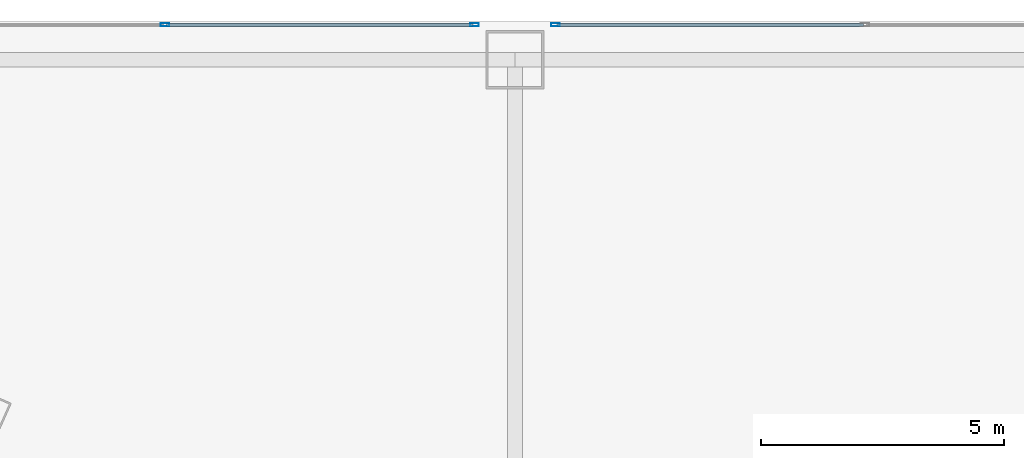
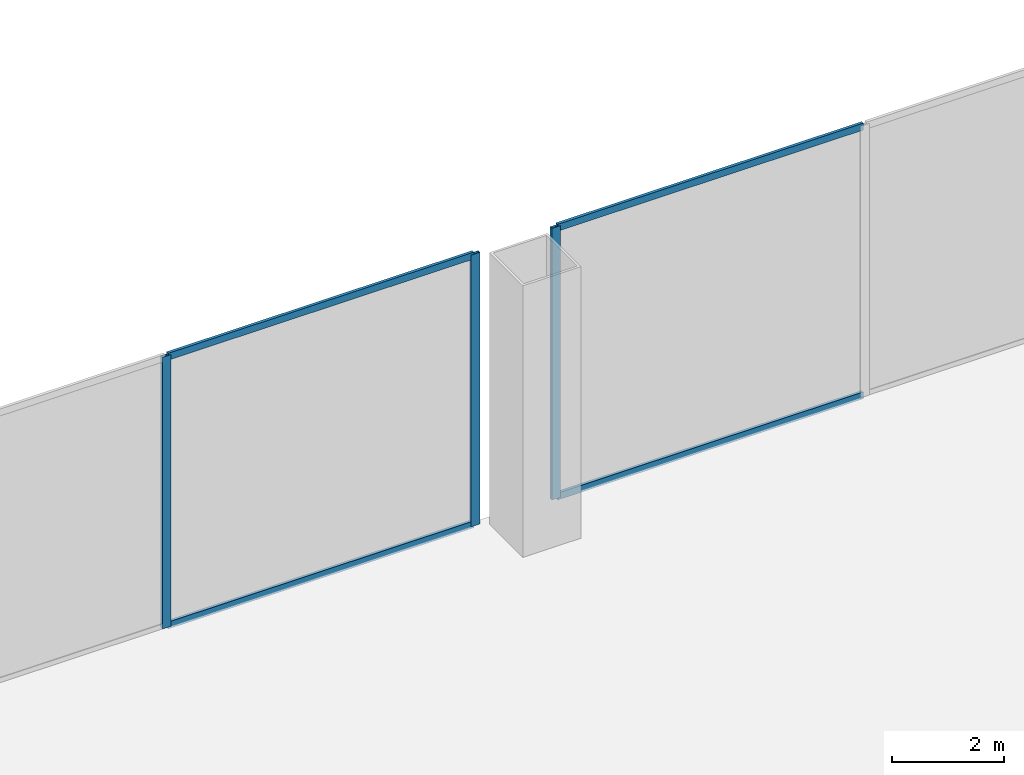
# One storey, part 28 of 41: 7 members, 2 elements without a shape of their own.
"""IFC4 building model written with IfcOpenShell, lengths in metres."""

from ifc_helpers import new_model, si_unit, direction, frame, origin, origin_2d, place, context, subcontext, project, spatial, hollow_rectangle, extrude, source, transform, mapped, material, layer, layer_set, material_profile, profile_set, type_object, element, aggregate, save


model = new_model("IFC4")

# Units and contexts
model_context = context("Model", 3, precision=1e-05, world=origin(), true_north=direction((0.0, 1.0)))
body_context = subcontext(model_context, "Body", "Model", "MODEL_VIEW")
ifc_project = project(units=[si_unit("LENGTHUNIT", "METRE"), si_unit("AREAUNIT", "SQUARE_METRE"), si_unit("VOLUMEUNIT", "CUBIC_METRE"), si_unit("PLANEANGLEUNIT", "RADIAN"), si_unit("MASSUNIT", "GRAM", prefix="KILO"), si_unit("THERMODYNAMICTEMPERATUREUNIT", "KELVIN"), si_unit("POWERUNIT", "WATT")], contexts=[model_context])

# Site, building, storey
site_placement = place(None, origin())
site = spatial("IfcSite", under=ifc_project, at=site_placement, CompositionType="ELEMENT")
building_placement = place(site_placement, origin())
building = spatial("IfcBuilding", under=site, at=building_placement, Name="Yunzhuo Pagoda Commons", CompositionType="ELEMENT")
storey_placement = place(building_placement, frame((0.0, 0.0, 19.199951171875)))
storey = spatial("IfcBuildingStorey", under=building, at=storey_placement, Name="L05", CompositionType="ELEMENT", Elevation=19.199951171875)

# Curtain wall, members
ifc_material = material(Name="Anodized aluminium 6063-T6", Category="aluminium")
ifc_layer = layer(ifc_material, 0.179931640625)
ifc_layer_set = layer_set([ifc_layer], Name="Anodized aluminium 6063-T6")
curtain_wall_type = type_object("IfcCurtainWallType", Name="CW-POD Waterfront Podium Curtain Wall", PredefinedType="NOTDEFINED", material=ifc_layer_set)
curtain_wall_1_placement = place(storey_placement, origin())
curtain_wall_1 = element("IfcCurtainWall", 1, at=curtain_wall_1_placement, inside=storey, type_object=curtain_wall_type, Name="L05 curtain wall CW-L05-N4", PredefinedType="NOTDEFINED")
ifc_material_profile_1 = material_profile(ifc_material, hollow_rectangle(XDim=0.06005859375, YDim=0.14990234375, WallThickness=0.00390625, at=origin_2d()), Name="Anodized aluminium 6063-T6")
ifc_profile_set_1 = profile_set([ifc_material_profile_1], Name="Anodized aluminium 6063-T6")
member_type_1 = type_object("IfcMemberType", Name="CW-POD-T Transom RHS 150x60x4", PredefinedType="USERDEFINED", material=ifc_profile_set_1)
shared_shape_1 = source(origin(), body_context, "Body", "SweptSolid", [
    extrude(hollow_rectangle(XDim=0.06005859375, YDim=0.14990234375, WallThickness=0.00390625, at=origin_2d()), origin(), (0.0, 0.0, 1.0), 6.302490234375),
])
member_1_placement = place(storey_placement, frame((69.632568359375, 81.919921875, 0.0302734375), z_axis=(1.0, 0.0, 0.0), x_axis=(0.0, 1.0, 0.0)))
member_1 = element("IfcMember", 2, at=member_1_placement, type_object=member_type_1, Name="CW transom 2.1", ObjectType="TRANSOM", PredefinedType="USERDEFINED", context=body_context, shape_type="MappedRepresentation", body=[
    mapped(shared_shape_1, transform((0.0, 0.0, 0.0), scale=1.0)),
])
member_2_placement = place(storey_placement, frame((69.632568359375, 81.919921875, 5.89013671875), z_axis=(1.0, 0.0, 0.0), x_axis=(0.0, 1.0, 0.0)))
member_2 = element("IfcMember", 3, at=member_2_placement, type_object=member_type_1, Name="CW transom 2.2", ObjectType="TRANSOM", PredefinedType="USERDEFINED", context=body_context, shape_type="MappedRepresentation", body=[
    mapped(shared_shape_1, transform((0.0, 0.0, 0.0), scale=1.0)),
])

curtain_wall_2_placement = place(storey_placement, origin())
curtain_wall_2 = element("IfcCurtainWall", 4, at=curtain_wall_2_placement, inside=storey, type_object=curtain_wall_type, Name="L05 curtain wall CW-L05-N5", PredefinedType="NOTDEFINED")
member_3_placement = place(storey_placement, frame((77.6650390625, 81.919921875, 0.0302734375), z_axis=(1.0, 0.0, 0.0), x_axis=(0.0, 1.0, 0.0)))
member_3 = element("IfcMember", 5, at=member_3_placement, type_object=member_type_1, Name="CW transom 1.1", ObjectType="TRANSOM", PredefinedType="USERDEFINED", context=body_context, shape_type="MappedRepresentation", body=[
    mapped(shared_shape_1, transform((0.0, 0.0, 0.0), scale=1.0)),
])
member_4_placement = place(storey_placement, frame((77.6650390625, 81.919921875, 5.89013671875), z_axis=(1.0, 0.0, 0.0), x_axis=(0.0, 1.0, 0.0)))
member_4 = element("IfcMember", 6, at=member_4_placement, type_object=member_type_1, Name="CW transom 1.2", ObjectType="TRANSOM", PredefinedType="USERDEFINED", context=body_context, shape_type="MappedRepresentation", body=[
    mapped(shared_shape_1, transform((0.0, 0.0, 0.0), scale=1.0)),
])

# Member
ifc_material_profile_2 = material_profile(ifc_material, hollow_rectangle(XDim=0.06494140625, YDim=0.179931640625, WallThickness=0.00390625, at=origin_2d()), Name="Anodized aluminium 6063-T6")
ifc_profile_set_2 = profile_set([ifc_material_profile_2], Name="Anodized aluminium 6063-T6")
member_type_2 = type_object("IfcMemberType", Name="CW-POD-M Mullion RHS 180x65x4", PredefinedType="MULLION", material=ifc_profile_set_2)
shared_shape_2 = source(origin(), body_context, "Body", "SweptSolid", [
    extrude(hollow_rectangle(XDim=0.06494140625, YDim=0.179931640625, WallThickness=0.00390625, at=origin_2d()), origin(), (0.0, 0.0, 1.0), 5.920166015625),
])
member_5_placement = place(storey_placement, frame((69.60009765625, 81.919921875, 0.0), z_axis=(0.0, 0.0, 1.0), x_axis=(0.0, 1.0, 0.0)))
member_5 = element("IfcMember", 7, at=member_5_placement, type_object=member_type_2, Name="CW mullion 2", PredefinedType="MULLION", context=body_context, shape_type="MappedRepresentation", body=[
    mapped(shared_shape_2, transform((0.0, 0.0, 0.0), scale=1.0)),
])

member_6_placement = place(storey_placement, frame((75.967529296875, 81.919921875, 0.0), z_axis=(0.0, 0.0, 1.0), x_axis=(0.0, 1.0, 0.0)))
member_6 = element("IfcMember", 8, at=member_6_placement, type_object=member_type_2, Name="CW mullion 3", PredefinedType="MULLION", context=body_context, shape_type="MappedRepresentation", body=[
    mapped(shared_shape_2, transform((0.0, 0.0, 0.0), scale=1.0)),
])

aggregate(curtain_wall_1, [member_5, member_6, member_1, member_2])

member_7_placement = place(storey_placement, frame((77.632568359375, 81.919921875, 0.0), z_axis=(0.0, 0.0, 1.0), x_axis=(0.0, 1.0, 0.0)))
member_7 = element("IfcMember", 9, at=member_7_placement, type_object=member_type_2, Name="CW mullion 1", PredefinedType="MULLION", context=body_context, shape_type="MappedRepresentation", body=[
    mapped(shared_shape_2, transform((0.0, 0.0, 0.0), scale=1.0)),
])

aggregate(curtain_wall_2, [member_7, member_3, member_4])

save(model, "model.ifc")
